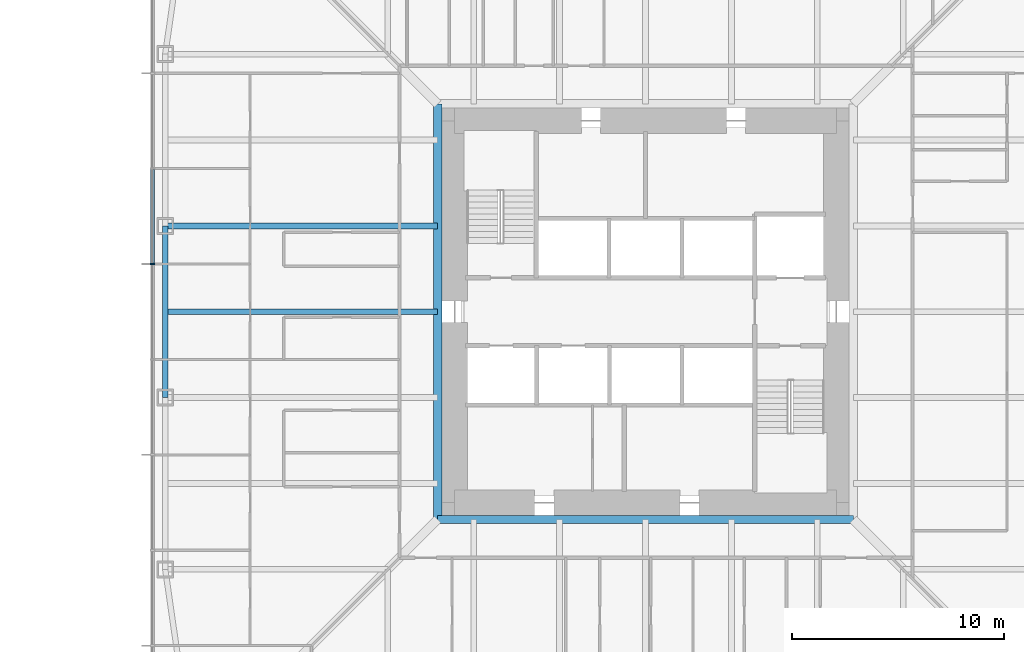
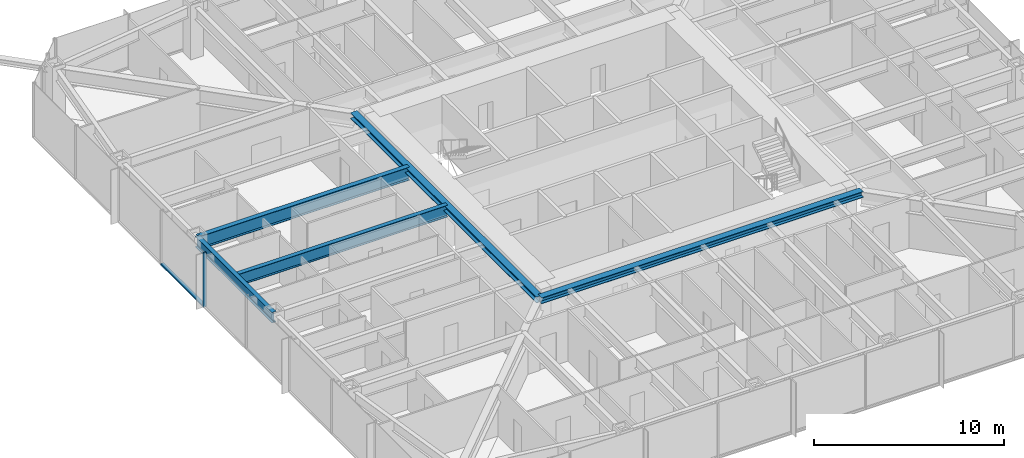
# One storey, part 4 of 26: 5 beams, 2 members, 1 element without a shape of its own.
"""IFC4 building model written with IfcOpenShell, lengths in metres."""

import ifcopenshell
import ifcopenshell.guid

model = None  # the IFC model being written
_history = None  # IfcOwnerHistory: only IFC2X3 demands one
_inside = {}  # id of a spatial element -> (the spatial element, [elements in it])
_under = {}  # id of a project, library or spatial element -> (it, [spatial elements below it])
_declared = {}  # id of a project -> (the project, [libraries it declares])
_typed = {}  # id of a type object -> (the type object, [elements of that type])
_made_of = {}  # id of a material, layer set ... -> (it, [elements and type objects made of it])


def new_model(schema):
    """Start an empty IFC model of exactly this schema.

    Asked for "IFC4X3", IfcOpenShell would pick the latest addendum, in which some entities
    have other attributes; the version numbers below select the first issue.
    IFC2X3 requires an IfcOwnerHistory on every rooted entity: one is made here for all.
    """
    global model, _history
    if schema == "IFC4X3":
        model = ifcopenshell.file(schema_version=(4, 3, 0, 0))
    else:
        model = ifcopenshell.file(schema=schema)
    _inside.clear()
    _under.clear()
    _declared.clear()
    _typed.clear()
    _made_of.clear()
    _history = None
    if model.schema == "IFC2X3":
        org = make("IfcOrganization", Name="unknown")
        user = make(
            "IfcPersonAndOrganization",
            ThePerson=make("IfcPerson", FamilyName="unknown"),
            TheOrganization=org,
        )
        app = make(
            "IfcApplication",
            ApplicationDeveloper=org,
            Version="unknown",
            ApplicationFullName="unknown",
            ApplicationIdentifier="unknown",
        )
        _history = make(
            "IfcOwnerHistory",
            OwningUser=user,
            OwningApplication=app,
            ChangeAction="ADDED",
            CreationDate=0,
        )
    return model


def make(cls, **values):
    """One entity of the class cls with the attributes given. An attribute that is None is left unset."""
    return model.create_entity(
        cls, **{name: value for name, value in values.items() if value is not None}
    )


def rooted(cls, **values):
    """An entity with a GlobalId (a new one), such as an element, a storey or a relation."""
    return make(cls, GlobalId=ifcopenshell.guid.new(), OwnerHistory=_history, **values)


def si_unit(unit_type, name, prefix=None):
    """IfcSIUnit, for example si_unit("LENGTHUNIT", "METRE", prefix="MILLI")."""
    return make("IfcSIUnit", UnitType=unit_type, Prefix=prefix, Name=name)


def assignment(units):
    """IfcUnitAssignment: the units of a project."""
    return None if units is None else make("IfcUnitAssignment", Units=units)


def point(xyz):
    """IfcCartesianPoint."""
    return None if xyz is None else make("IfcCartesianPoint", Coordinates=xyz)


def direction(xyz):
    """IfcDirection."""
    return None if xyz is None else make("IfcDirection", DirectionRatios=xyz)


def frame(location, z_axis=None, x_axis=None):
    """IfcAxis2Placement3D, a coordinate frame: its origin and axes. An axis left out is left unset."""
    return make(
        "IfcAxis2Placement3D",
        Location=point(location),
        Axis=direction(z_axis),
        RefDirection=direction(x_axis),
    )


def frame_2d(location, x_axis=None):
    """IfcAxis2Placement2D, a coordinate frame in the plane: its origin and x axis."""
    return make(
        "IfcAxis2Placement2D", Location=point(location), RefDirection=direction(x_axis)
    )


def origin():
    """The frame at (0, 0, 0) with its axes left unset."""
    return frame((0.0, 0.0, 0.0))


def origin_2d():
    """The frame at (0, 0) in the plane with its x axis left unset."""
    return frame_2d((0.0, 0.0))


def place(relative_to, where):
    """IfcLocalPlacement: puts the frame where relative to a parent placement (None: the world)."""
    return make(
        "IfcLocalPlacement", PlacementRelTo=relative_to, RelativePlacement=where
    )


def context(
    kind, dimensions, precision=None, world=None, true_north=None, identifier=None
):
    """IfcGeometricRepresentationContext, for example the 3D "Model" context."""
    return make(
        "IfcGeometricRepresentationContext",
        ContextIdentifier=identifier,
        ContextType=kind,
        CoordinateSpaceDimension=dimensions,
        Precision=precision,
        WorldCoordinateSystem=world,
        TrueNorth=true_north,
    )


def subcontext(parent, identifier, kind, view, scale=None):
    """IfcGeometricRepresentationSubContext, for example "Body" below "Model"."""
    return make(
        "IfcGeometricRepresentationSubContext",
        ContextIdentifier=identifier,
        ContextType=kind,
        ParentContext=parent,
        TargetScale=scale,
        TargetView=view,
    )


def project(units=None, contexts=None):
    """IfcProject with its units and contexts."""
    return rooted(
        "IfcProject",
        Name="project",
        RepresentationContexts=contexts,
        UnitsInContext=assignment(units),
    )


def spatial(cls, under=None, at=None, **own):
    """A site, building, storey or space (cls), placed at a placement, below another one or the project."""
    s = rooted(cls, ObjectPlacement=at, **own)
    if under is not None:
        _under.setdefault(under.id(), (under, []))[1].append(s)
    return s


def profile(cls, at=None, kind="AREA", **sizes):
    """A parametric profile (cls). Its sizes go by their IFC names, for example OverallWidth=200.0."""
    return make(cls, ProfileType=kind, Position=at, **sizes)


def rectangle(**sizes):
    """IfcRectangleProfileDef."""
    return profile("IfcRectangleProfileDef", **sizes)


def i_section(**sizes):
    """IfcIShapeProfileDef."""
    return profile("IfcIShapeProfileDef", **sizes)


def extrude(swept, where, along, depth):
    """IfcExtrudedAreaSolid: the profile swept, set in the frame where, extruded along a direction by depth."""
    return make(
        "IfcExtrudedAreaSolid",
        SweptArea=swept,
        Position=where,
        ExtrudedDirection=direction(along),
        Depth=depth,
    )


def shape(context_of_items, identifier, shape_type, items):
    """IfcShapeRepresentation: the items that make up one representation, for example the "Body"."""
    return make(
        "IfcShapeRepresentation",
        ContextOfItems=context_of_items,
        RepresentationIdentifier=identifier,
        RepresentationType=shape_type,
        Items=items,
    )


def material(Name=None, Category=None):
    """IfcMaterial."""
    return make("IfcMaterial", Name=Name, Category=Category)


def material_profile(
    of_material, cross_section, Name=None, Category=None, Priority=None
):
    """IfcMaterialProfile: a cross section and its material."""
    return make(
        "IfcMaterialProfile",
        Name=Name,
        Material=of_material,
        Profile=cross_section,
        Priority=Priority,
        Category=Category,
    )


def profile_set(profiles, Name=None, composite=None):
    """IfcMaterialProfileSet."""
    return make(
        "IfcMaterialProfileSet",
        Name=Name,
        MaterialProfiles=profiles,
        CompositeProfile=composite,
    )


def made_of(thing, what):
    """Note that an element or type object is made of a material, layer set ...; save() writes the relation."""
    if what is not None:
        _made_of.setdefault(what.id(), (what, []))[1].append(thing)
    return thing


def type_object(cls, material=None, **own):
    """A type object (cls), such as IfcWallType, which elements share."""
    return made_of(rooted(cls, **own), material)


def element(
    cls,
    number,
    at=None,
    inside=None,
    cuts=None,
    type_object=None,
    material=None,
    context=None,
    identifier="Body",
    shape_type=None,
    held_by="IfcProductDefinitionShape",
    body=None,
    shapes=None,
    **own,
):
    """One element of the class cls, such as IfcWall. Its Tag is "e" and its number.

    at: its placement. inside: the storey or other place that contains it. cuts: it is an
    opening in that element (IfcRelVoidsElement). A single representation is given by context,
    identifier, shape_type and body (its items); several are given by shapes. held_by: the class
    of the entity that holds the representations. save() writes the other relations.
    """
    e = rooted(cls, Tag="e%d" % number, ObjectPlacement=at, **own)
    if body is not None:
        shapes = [shape(context, identifier, shape_type, body)]
    if shapes is not None:
        e.Representation = make(held_by, Representations=shapes)
    if inside is not None:
        _inside.setdefault(inside.id(), (inside, []))[1].append(e)
    if cuts is not None:
        rooted(
            "IfcRelVoidsElement", RelatingBuildingElement=cuts, RelatedOpeningElement=e
        )
    if type_object is not None:
        _typed.setdefault(type_object.id(), (type_object, []))[1].append(e)
    return made_of(e, material)


def aggregate(whole, parts):
    """IfcRelAggregates: a whole, such as a stair, and the parts it consists of."""
    return rooted("IfcRelAggregates", RelatingObject=whole, RelatedObjects=parts)


def save(model, path):
    """Write the relations noted so far, then the file.

    IfcRelAggregates (storeys below a building ...), IfcRelContainedInSpatialStructure (elements
    in a storey), IfcRelDefinesByType, IfcRelAssociatesMaterial and IfcRelDeclares: one each for
    every whole, place, type object, material and project.
    """
    for whole, parts in _under.values():
        aggregate(whole, parts)
    for where, things in _inside.values():
        rooted(
            "IfcRelContainedInSpatialStructure",
            RelatedElements=things,
            RelatingStructure=where,
        )
    for kind, things in _typed.values():
        rooted("IfcRelDefinesByType", RelatedObjects=things, RelatingType=kind)
    for what, things in _made_of.values():
        rooted("IfcRelAssociatesMaterial", RelatedObjects=things, RelatingMaterial=what)
    for by, libraries in _declared.values():
        rooted("IfcRelDeclares", RelatingContext=by, RelatedDefinitions=libraries)
    model.write(path)


model = new_model("IFC4")

# Units and contexts
model_context = context("Model", 3, precision=1e-05, world=origin(), true_north=direction((0.0, 1.0)))
body_context = subcontext(model_context, "Body", "Model", "MODEL_VIEW")
ifc_project = project(units=[si_unit("LENGTHUNIT", "METRE"), si_unit("AREAUNIT", "SQUARE_METRE"), si_unit("VOLUMEUNIT", "CUBIC_METRE"), si_unit("PLANEANGLEUNIT", "RADIAN"), si_unit("MASSUNIT", "GRAM", prefix="KILO")], contexts=[model_context])

# Site, building, storey
site_placement = place(None, origin())
site = spatial("IfcSite", under=ifc_project, at=site_placement, CompositionType="ELEMENT")
building_placement = place(site_placement, origin())
building = spatial("IfcBuilding", under=site, at=building_placement, Name="Iwan Alto Co-Living Towers", CompositionType="ELEMENT")
storey_placement = place(building_placement, frame((0.0, 0.0, 67.5)))
storey = spatial("IfcBuildingStorey", under=building, at=storey_placement, Name="L18", CompositionType="ELEMENT", Elevation=67.5)

# Curtain wall, members
ifc_material_1 = material(Name="Bronze aluminium unitised frame", Category="aluminium")
curtain_wall_type = type_object("IfcCurtainWallType", Name="CURTAIN WALL CW-A", PredefinedType="NOTDEFINED", material=ifc_material_1)
curtain_wall_placement = place(storey_placement, origin())
curtain_wall = element("IfcCurtainWall", 1, at=curtain_wall_placement, inside=storey, type_object=curtain_wall_type, Name="T1 curtain wall W L18", PredefinedType="NOTDEFINED")
ifc_material_2 = material(Name="Aluminium 6063-T6 bronze anodised", Category="aluminium")
ifc_material_profile_1 = material_profile(ifc_material_2, rectangle(XDim=0.199951171875, YDim=0.080078125, at=origin_2d()), Name="AL 80X200")
ifc_profile_set_1 = profile_set([ifc_material_profile_1], Name="Aluminium 6063-T6 bronze anodised")
member_type_1 = type_object("IfcMemberType", Name="CW-A MULLION 80X200", PredefinedType="MULLION", material=ifc_profile_set_1)
member_1_placement = place(storey_placement, frame((-23.25, 2.25, 0.0), z_axis=(0.0, 0.0, 1.0), x_axis=(1.0, 0.0, 0.0)))
member_1 = element("IfcMember", 2, at=member_1_placement, type_object=member_type_1, Name="CW-A mullion 5", PredefinedType="MULLION", context=body_context, shape_type="SweptSolid", body=[
    extrude(rectangle(XDim=0.199951171875, YDim=0.080078125, at=origin_2d()), origin(), (0.0, 0.0, 1.0), 3.5),
])
ifc_material_3 = material(Name="Aluminium 6063-T6 bronze anodised", Category="aluminium")
ifc_material_profile_2 = material_profile(ifc_material_3, rectangle(XDim=0.199951171875, YDim=0.10009765625, at=origin_2d()), Name="AL 200X100")
ifc_profile_set_2 = profile_set([ifc_material_profile_2], Name="Aluminium 6063-T6 bronze anodised")
member_type_2 = type_object("IfcMemberType", Name="CW-A TRANSOM 200X100", PredefinedType="USERDEFINED", material=ifc_profile_set_2)
member_2_placement = place(storey_placement, frame((-23.25, 6.7099609375, 0.050048828125), z_axis=(0.0, -1.0, 0.0), x_axis=(1.0, 0.0, 0.0)))
member_2 = element("IfcMember", 3, at=member_2_placement, type_object=member_type_2, Name="CW-A transom 4.1", ObjectType="TRANSOM", PredefinedType="USERDEFINED", context=body_context, shape_type="SweptSolid", body=[
    extrude(rectangle(XDim=0.199951171875, YDim=0.10009765625, at=origin_2d()), origin(), (0.0, 0.0, 1.0), 4.419921875),
])
aggregate(curtain_wall, [member_1, member_2])

# Beams
ifc_material_4 = material(Name="Steel ASTM A992 Gr 50", Category="steel")
ifc_material_profile_3 = material_profile(ifc_material_4, i_section(OverallWidth=0.398681640625, OverallDepth=0.385986328125, WebThickness=0.02099609375, FlangeThickness=0.033203125, at=origin_2d()), Name="W14X176")
ifc_profile_set_3 = profile_set([ifc_material_profile_3], Name="Steel ASTM A992 Gr 50")
beam_type_1 = type_object("IfcBeamType", Name="T1 CORE LEDGER BEAM W14X176", PredefinedType="BEAM", material=ifc_profile_set_3)
for number, where, z_axis, x_axis, name in (
    (4, (-9.79931640625, -9.79931640625, 3.076904296875), (1.0, 0.0, 0.0), (0.0, 1.0, 0.0), "T1 core ledger beam S L19"),
    (5, (-9.79931640625, 9.79931640625, 3.076904296875), (0.0, -1.0, 0.0), (1.0, 0.0, 0.0), "T1 core ledger beam W L19"),
):
    element("IfcBeam", number, at=place(storey_placement, frame(where, z_axis=z_axis, x_axis=x_axis)), inside=storey, type_object=beam_type_1, Name=name, PredefinedType="BEAM", context=body_context, shape_type="SweptSolid", body=[
        extrude(i_section(OverallWidth=0.398681640625, OverallDepth=0.385986328125, WebThickness=0.02099609375, FlangeThickness=0.033203125, at=origin_2d()), origin(), (0.0, 0.0, 1.0), 19.5986328125),
    ])
ifc_material_5 = material(Name="Steel ASTM A992 Gr 50", Category="steel")
ifc_material_profile_4 = material_profile(ifc_material_5, i_section(OverallWidth=0.25390625, OverallDepth=0.683349609375, WebThickness=0.012451171875, FlangeThickness=0.018798828125, at=origin_2d()), Name="W27X94")
ifc_profile_set_4 = profile_set([ifc_material_profile_4], Name="Steel ASTM A992 Gr 50")
beam_type_2 = type_object("IfcBeamType", Name="T1 EDGE BEAM W27X94", PredefinedType="BEAM", material=ifc_profile_set_4)
beam_1_placement = place(storey_placement, frame((-22.64990234375, 4.050048828125, 2.928466796875), z_axis=(0.0, -1.0, 0.0), x_axis=(1.0, 0.0, 0.0)))
element("IfcBeam", 6, at=beam_1_placement, inside=storey, type_object=beam_type_2, Name="T1 edge beam W2 L19", PredefinedType="BEAM", context=body_context, shape_type="SweptSolid", body=[
    extrude(i_section(OverallWidth=0.25390625, OverallDepth=0.683349609375, WebThickness=0.012451171875, FlangeThickness=0.018798828125, at=origin_2d()), origin(), (0.0, 0.0, 1.0), 8.10009765625),
])
ifc_material_6 = material(Name="Steel ASTM A992 Gr 50", Category="steel")
ifc_material_profile_5 = material_profile(ifc_material_6, i_section(OverallWidth=0.2919921875, OverallDepth=0.8408203125, WebThickness=0.0146484375, FlangeThickness=0.021728515625, at=origin_2d()), Name="W33X130")
ifc_profile_set_5 = profile_set([ifc_material_profile_5], Name="Steel ASTM A992 Gr 50")
beam_type_3 = type_object("IfcBeamType", Name="T1 RADIAL BEAM W33X130", PredefinedType="BEAM", material=ifc_profile_set_5)
beam_2_placement = place(storey_placement, frame((-22.64990234375, 4.050048828125, 2.849609375), z_axis=(1.0, 0.0, 0.0), x_axis=(0.0, 1.0, 0.0)))
element("IfcBeam", 7, at=beam_2_placement, inside=storey, type_object=beam_type_3, Name="T1 radial beam W2 L19", PredefinedType="BEAM", context=body_context, shape_type="SweptSolid", body=[
    extrude(i_section(OverallWidth=0.2919921875, OverallDepth=0.8408203125, WebThickness=0.0146484375, FlangeThickness=0.021728515625, at=origin_2d()), origin(), (0.0, 0.0, 1.0), 12.8505859375),
])
ifc_material_7 = material(Name="Steel ASTM A992 Gr 50", Category="steel")
ifc_material_profile_6 = material_profile(ifc_material_7, i_section(OverallWidth=0.2666015625, OverallDepth=0.761962890625, WebThickness=0.014404296875, FlangeThickness=0.021484375, at=origin_2d()), Name="W30X116")
ifc_profile_set_6 = profile_set([ifc_material_profile_6], Name="Steel ASTM A992 Gr 50")
beam_type_4 = type_object("IfcBeamType", Name="T1 SECONDARY BEAM W30X116", PredefinedType="JOIST", material=ifc_profile_set_6)
beam_3_placement = place(storey_placement, frame((-22.64990234375, 0.0, 2.888916015625), z_axis=(1.0, 0.0, 0.0), x_axis=(0.0, 1.0, 0.0)))
element("IfcBeam", 8, at=beam_3_placement, inside=storey, type_object=beam_type_4, Name="T1 secondary beam W2 L19", PredefinedType="JOIST", context=body_context, shape_type="SweptSolid", body=[
    extrude(i_section(OverallWidth=0.2666015625, OverallDepth=0.761962890625, WebThickness=0.014404296875, FlangeThickness=0.021484375, at=origin_2d()), origin(), (0.0, 0.0, 1.0), 12.8505859375),
])

save(model, "model.ifc")
